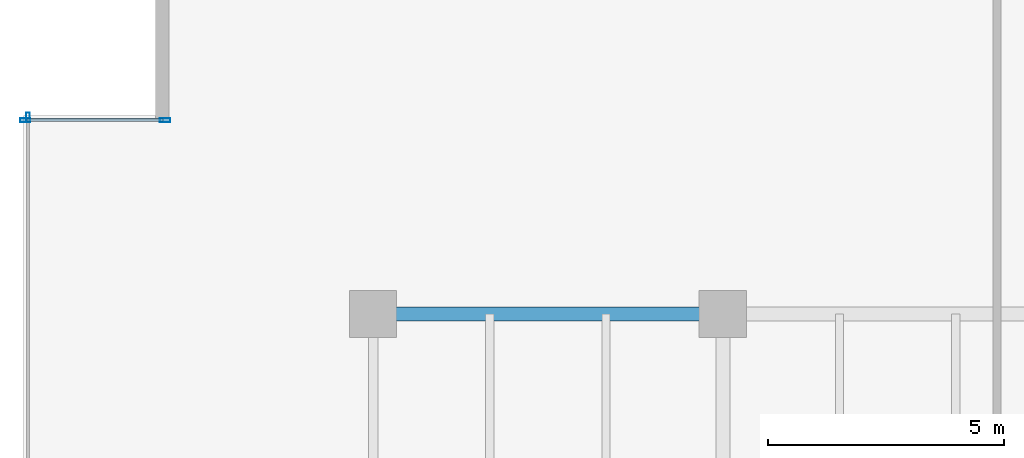
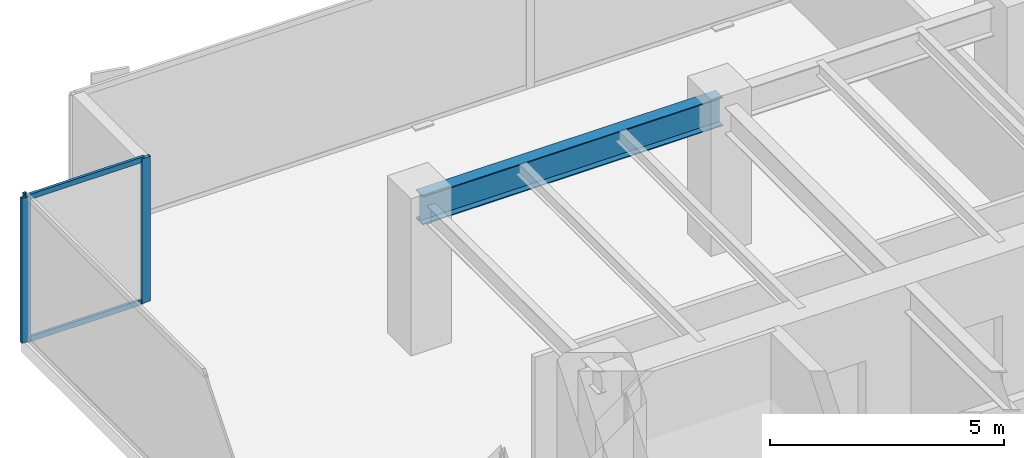
# One storey, part 12 of 36: 5 members, 1 beam, 2 elements without a shape of their own.
"""IFC4 building model written with IfcOpenShell, lengths in metres."""

from ifc_helpers import new_model, si_unit, direction, frame, origin, origin_2d, place, context, subcontext, project, spatial, hollow_rectangle, i_section, extrude, source, transform, mapped, material, layer, layer_set, material_profile, profile_set, type_object, type_shapes, element, aggregate, save


model = new_model("IFC4")

# Units and contexts
model_context = context("Model", 3, precision=1e-05, world=origin(), true_north=direction((0.0, 1.0)))
body_context = subcontext(model_context, "Body", "Model", "MODEL_VIEW")
ifc_project = project(units=[si_unit("LENGTHUNIT", "METRE"), si_unit("AREAUNIT", "SQUARE_METRE"), si_unit("VOLUMEUNIT", "CUBIC_METRE"), si_unit("PLANEANGLEUNIT", "RADIAN"), si_unit("MASSUNIT", "GRAM", prefix="KILO")], contexts=[model_context])

# Site, building, storey
site_placement = place(None, origin())
site = spatial("IfcSite", under=ifc_project, at=site_placement, CompositionType="ELEMENT")
building_placement = place(site_placement, origin())
building = spatial("IfcBuilding", under=site, at=building_placement, Name="Haelvirn Gate Laboratories", CompositionType="ELEMENT")
storey_placement = place(building_placement, frame((0.0, 0.0, 29.300048828125)))
storey = spatial("IfcBuildingStorey", under=building, at=storey_placement, Name="L07", CompositionType="ELEMENT", Elevation=29.300048828125)

# Beam
ifc_material_1 = material(Name="Steel SM355", Category="steel")
ifc_material_profile_1 = material_profile(ifc_material_1, i_section(OverallWidth=0.300048828125, OverallDepth=0.75, WebThickness=0.013916015625, FlangeThickness=0.02392578125, at=origin_2d()), Name="H-750x300x14x24")
ifc_profile_set_1 = profile_set([ifc_material_profile_1], Name="Steel SM355")
beam_type = type_object("IfcBeamType", Name="BM-G-750", PredefinedType="BEAM", material=ifc_profile_set_1)
shared_shape_1 = source(origin(), body_context, "Body", "SweptSolid", [
    extrude(i_section(OverallWidth=0.300048828125, OverallDepth=0.75, WebThickness=0.013916015625, FlangeThickness=0.02392578125, at=origin_2d()), origin(), (0.0, 0.0, 1.0), 7.400146484375),
])
type_shapes(beam_type, [shared_shape_1])
beam_placement = place(storey_placement, frame((7.39990234375, 41.60009765625, 3.405029296875), z_axis=(1.0, 0.0, 0.0), x_axis=(0.0, 1.0, 0.0)))
element("IfcBeam", 1, at=beam_placement, inside=storey, type_object=beam_type, Name="L07 Primary Girder Y41.6 (7.4-14.8)", PredefinedType="BEAM", context=body_context, shape_type="MappedRepresentation", body=[
    mapped(shared_shape_1, transform((0.0, 0.0, 0.0), scale=1.0)),
])

# Curtain wall, member
ifc_material_2 = material(Name="Anodised bronze unitised aluminium & triple low-E glass", Category="aluminium")
ifc_layer_1 = layer(ifc_material_2, 0.18408203125, Name="CW-SYS-2")
ifc_layer_set_1 = layer_set([ifc_layer_1], Name="Anodised bronze unitised aluminium & triple low-E glass")
curtain_wall_type_1 = type_object("IfcCurtainWallType", Name="CW-SYS-2", PredefinedType="NOTDEFINED", material=ifc_layer_set_1)
curtain_wall_1_placement = place(storey_placement, origin())
curtain_wall_1 = element("IfcCurtainWall", 2, at=curtain_wall_1_placement, inside=storey, type_object=curtain_wall_type_1, Name="L07 Unitised Curtain Wall CW-L07-P0-E17", PredefinedType="NOTDEFINED")
ifc_material_3 = material(Name="Extruded aluminium 6063-T6 (anodised bronze)", Category="aluminium")
ifc_material_profile_2 = material_profile(ifc_material_3, hollow_rectangle(XDim=0.074951171875, YDim=0.199951171875, WallThickness=0.0048828125, at=origin_2d()), Name="CWM-200x75x5")
ifc_profile_set_2 = profile_set([ifc_material_profile_2], Name="Extruded aluminium 6063-T6 (anodised bronze)")
member_type_1 = type_object("IfcMemberType", Name="CWM-T200", PredefinedType="MULLION", material=ifc_profile_set_2)
shared_shape_2 = source(origin(), body_context, "Body", "SweptSolid", [
    extrude(hollow_rectangle(XDim=0.074951171875, YDim=0.199951171875, WallThickness=0.0048828125, at=origin_2d()), origin(), (0.0, 0.0, 1.0), 3.780029296875),
])
type_shapes(member_type_1, [shared_shape_2])
member_1_placement = place(storey_placement, frame((0.10009765625, 45.762451171875, 0.0), z_axis=(0.0, 0.0, 1.0), x_axis=(1.0, 0.0, 0.0)))
member_1 = element("IfcMember", 3, at=member_1_placement, type_object=member_type_1, Name="CW2 mullion 1", PredefinedType="MULLION", context=body_context, shape_type="MappedRepresentation", body=[
    mapped(shared_shape_2, transform((0.0, 0.0, 0.0), scale=1.0)),
])
aggregate(curtain_wall_1, [member_1])

# Curtain wall, members
ifc_layer_2 = layer(ifc_material_2, 0.181884765625, Name="CW-SYS-5")
ifc_layer_set_2 = layer_set([ifc_layer_2], Name="Anodised bronze unitised aluminium & triple low-E glass")
curtain_wall_type_2 = type_object("IfcCurtainWallType", Name="CW-SYS-5", PredefinedType="NOTDEFINED", material=ifc_layer_set_2)
curtain_wall_2_placement = place(storey_placement, origin())
curtain_wall_2 = element("IfcCurtainWall", 4, at=curtain_wall_2_placement, inside=storey, type_object=curtain_wall_type_2, Name="L07 Unitised Curtain Wall CW-L07-P0-E16-1", PredefinedType="NOTDEFINED")
ifc_material_profile_3 = material_profile(ifc_material_3, hollow_rectangle(XDim=0.080078125, YDim=0.219970703125, WallThickness=0.006103515625, at=origin_2d()), Name="CWM-220x80x6")
ifc_profile_set_3 = profile_set([ifc_material_profile_3], Name="Extruded aluminium 6063-T6 (anodised bronze)")
member_type_2 = type_object("IfcMemberType", Name="CWM-T220", PredefinedType="MULLION", material=ifc_profile_set_3)
shared_shape_3 = source(origin(), body_context, "Body", "SweptSolid", [
    extrude(hollow_rectangle(XDim=0.080078125, YDim=0.219970703125, WallThickness=0.006103515625, at=origin_2d()), origin(), (0.0, 0.0, 1.0), 3.780029296875),
])
type_shapes(member_type_2, [shared_shape_3])
member_2_placement = place(storey_placement, frame((0.0400390625, 45.699951171875, 0.0), z_axis=(0.0, 0.0, 1.0), x_axis=(0.0, 1.0, 0.0)))
member_2 = element("IfcMember", 5, at=member_2_placement, type_object=member_type_2, Name="CW5 mullion 1", PredefinedType="MULLION", context=body_context, shape_type="MappedRepresentation", body=[
    mapped(shared_shape_3, transform((0.0, 0.0, 0.0), scale=1.0)),
])
member_3_placement = place(storey_placement, frame((3.0, 45.699951171875, 0.0), z_axis=(0.0, 0.0, 1.0), x_axis=(0.0, 1.0, 0.0)))
member_3 = element("IfcMember", 6, at=member_3_placement, type_object=member_type_2, Name="CW5 mullion 2", PredefinedType="MULLION", context=body_context, shape_type="MappedRepresentation", body=[
    mapped(shared_shape_3, transform((0.0, 0.0, 0.0), scale=1.0)),
])
ifc_material_profile_4 = material_profile(ifc_material_3, hollow_rectangle(XDim=0.06494140625, YDim=0.139892578125, WallThickness=0.00390625, at=origin_2d()), Name="CWT-140x65x4")
ifc_profile_set_4 = profile_set([ifc_material_profile_4], Name="Extruded aluminium 6063-T6 (anodised bronze)")
member_type_3 = type_object("IfcMemberType", Name="CWT-T140", PredefinedType="USERDEFINED", material=ifc_profile_set_4)
shared_shape_4 = source(origin(), body_context, "Body", "SweptSolid", [
    extrude(hollow_rectangle(XDim=0.06494140625, YDim=0.139892578125, WallThickness=0.00390625, at=origin_2d()), origin(), (0.0, 0.0, 1.0), 2.8798828125),
])
type_shapes(member_type_3, [shared_shape_4])
member_4_placement = place(storey_placement, frame((0.080078125, 45.699951171875, 0.032470703125), z_axis=(1.0, 0.0, 0.0), x_axis=(0.0, 1.0, 0.0)))
member_4 = element("IfcMember", 7, at=member_4_placement, type_object=member_type_3, Name="CW5 transom 1.1", ObjectType="TRANSOM", PredefinedType="USERDEFINED", context=body_context, shape_type="MappedRepresentation", body=[
    mapped(shared_shape_4, transform((0.0, 0.0, 0.0), scale=1.0)),
])
member_5_placement = place(storey_placement, frame((0.080078125, 45.699951171875, 3.74755859375), z_axis=(1.0, 0.0, 0.0), x_axis=(0.0, 1.0, 0.0)))
member_5 = element("IfcMember", 8, at=member_5_placement, type_object=member_type_3, Name="CW5 transom 1.2", ObjectType="TRANSOM", PredefinedType="USERDEFINED", context=body_context, shape_type="MappedRepresentation", body=[
    mapped(shared_shape_4, transform((0.0, 0.0, 0.0), scale=1.0)),
])
aggregate(curtain_wall_2, [member_2, member_3, member_4, member_5])

save(model, "model.ifc")
